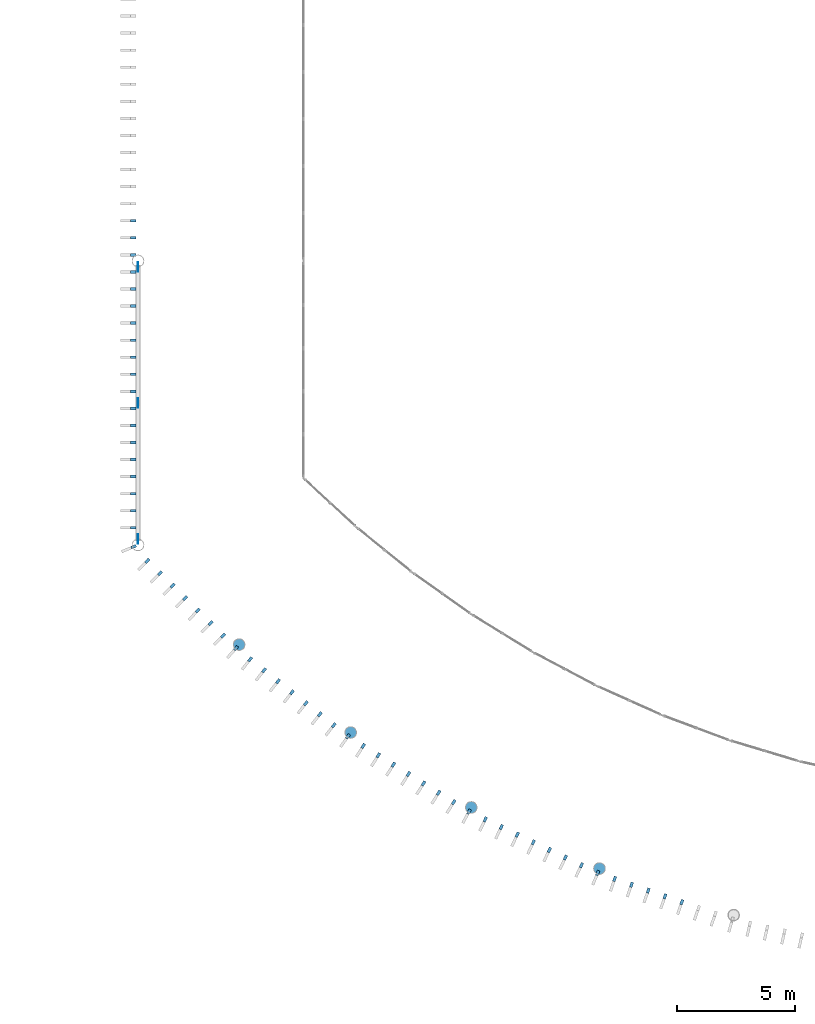
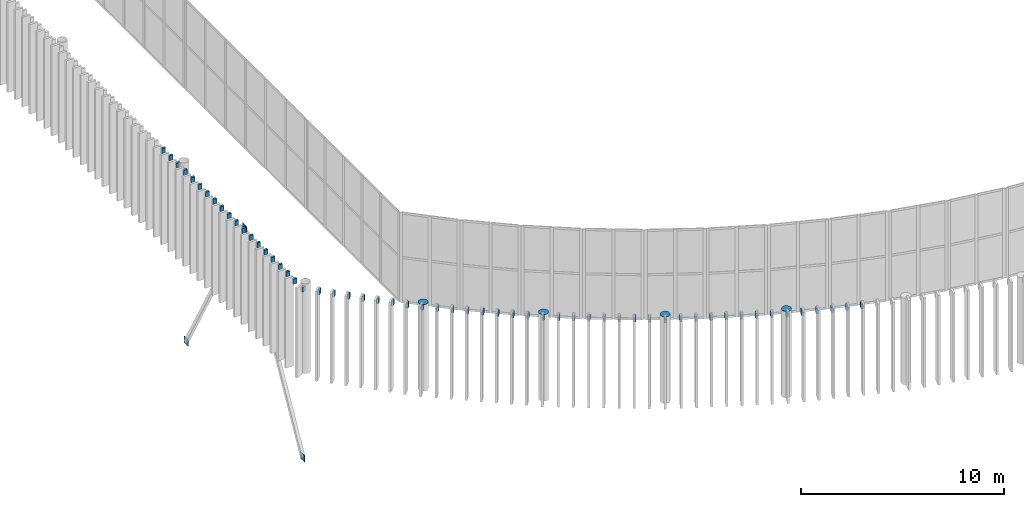
# One storey, part 126 of 170: 64 discrete accessories.
"""IFC4 building model written with IfcOpenShell, lengths in metres."""

from ifc_helpers import new_model, si_unit, direction, frame, origin, origin_2d, place, context, subcontext, project, spatial, rectangle, circle, extrude, material, material_profile, profile_set, type_object, element, save


model = new_model("IFC4")

# Units and contexts
model_context = context("Model", 3, precision=1e-05, world=origin(), true_north=direction((0.0, 1.0)))
body_context = subcontext(model_context, "Body", "Model", "MODEL_VIEW")
ifc_project = project(units=[si_unit("LENGTHUNIT", "METRE"), si_unit("AREAUNIT", "SQUARE_METRE"), si_unit("VOLUMEUNIT", "CUBIC_METRE"), si_unit("PLANEANGLEUNIT", "RADIAN"), si_unit("MASSUNIT", "GRAM", prefix="KILO")], contexts=[model_context])

# Site, building, storey
site_placement = place(None, origin())
site = spatial("IfcSite", under=ifc_project, at=site_placement, CompositionType="ELEMENT")
building_placement = place(site_placement, origin())
building = spatial("IfcBuilding", under=site, at=building_placement, Name="Ravi Spectrum Wholesale Market", CompositionType="ELEMENT")
storey_placement = place(building_placement, frame((0.0, 0.0, 5.39990234375)))
storey = spatial("IfcBuildingStorey", under=building, at=storey_placement, Name="L01", CompositionType="ELEMENT", Elevation=5.39990234375)

# Discrete accessories
ifc_material_1 = material(Name="Steel S355", Category="steel")
ifc_material_profile_1 = material_profile(ifc_material_1, circle(Radius=0.25390625, at=origin_2d()))
ifc_profile_set_1 = profile_set([ifc_material_profile_1], Name="Steel S355")
discrete_accessory_type_1 = type_object("IfcDiscreteAccessoryType", Name="End plate CHS 508x16", PredefinedType="BRACKET", material=ifc_profile_set_1)
for number, where, z_axis, x_axis, name in (
    (1, (34.273681640625, 25.784423828125, 5.2001953125), (0.0, 0.0, 1.0), (1.0, 0.0, 0.0), "End plate"),
    (2, (38.98876953125, 22.069091796875, 5.2001953125), (0.0, 0.0, 1.0), (1.0, 0.0, 0.0), "End plate"),
    (3, (44.087158203125, 18.900390625, 5.2001953125), (0.0, 0.0, 1.0), (1.0, 0.0, 0.0), "End plate"),
    (4, (49.505859375, 16.31689453125, 5.2001953125), (0.0, 0.0, 1.0), (1.0, 0.0, 0.0), "End plate"),
):
    element("IfcDiscreteAccessory", number, at=place(storey_placement, frame(where, z_axis=z_axis, x_axis=x_axis)), inside=storey, type_object=discrete_accessory_type_1, Name=name, PredefinedType="BRACKET", context=body_context, shape_type="SweptSolid", body=[
        extrude(circle(Radius=0.25390625, at=origin_2d()), origin(), (0.0, 0.0, 1.0), 0.011962890625),
    ])
ifc_material_2 = material(Name="Steel S355", Category="steel")
discrete_accessory_type_2 = type_object("IfcDiscreteAccessoryType", Name="Fin bracket 120", PredefinedType="BRACKET", material=ifc_material_2)
for number, where, z_axis, x_axis, name in (
    (5, (29.800048828125, 43.699462890625, 4.89990234375), (0.0, 0.0, 1.0), (0.0, -1.0, 0.0), "Fin bracket B215"),
    (6, (29.800048828125, 42.978515625, 4.89990234375), (0.0, 0.0, 1.0), (0.0, -1.0, 0.0), "Fin bracket B216"),
    (7, (29.800048828125, 42.257568359375, 4.89990234375), (0.0, 0.0, 1.0), (0.0, -1.0, 0.0), "Fin bracket B217"),
    (8, (29.800048828125, 41.536376953125, 4.89990234375), (0.0, 0.0, 1.0), (0.0, -1.0, 0.0), "Fin bracket B218"),
    (9, (29.800048828125, 40.8154296875, 4.89990234375), (0.0, 0.0, 1.0), (0.0, -1.0, 0.0), "Fin bracket B219"),
    (10, (29.800048828125, 40.094482421875, 4.89990234375), (0.0, 0.0, 1.0), (0.0, -1.0, 0.0), "Fin bracket B220"),
    (11, (29.800048828125, 39.373291015625, 4.89990234375), (0.0, 0.0, 1.0), (0.0, -1.0, 0.0), "Fin bracket B221"),
    (12, (29.800048828125, 38.65234375, 4.89990234375), (0.0, 0.0, 1.0), (0.0, -1.0, 0.0), "Fin bracket B222"),
    (13, (29.800048828125, 37.931396484375, 4.89990234375), (0.0, 0.0, 1.0), (0.0, -1.0, 0.0), "Fin bracket B223"),
    (14, (29.800048828125, 37.210205078125, 4.89990234375), (0.0, 0.0, 1.0), (0.0, -1.0, 0.0), "Fin bracket B224"),
    (15, (29.800048828125, 36.4892578125, 4.89990234375), (0.0, 0.0, 1.0), (0.0, -1.0, 0.0), "Fin bracket B225"),
    (16, (29.800048828125, 35.768310546875, 4.89990234375), (0.0, 0.0, 1.0), (0.0, -1.0, 0.0), "Fin bracket B226"),
    (17, (29.800048828125, 35.047119140625, 4.89990234375), (0.0, 0.0, 1.0), (0.0, -1.0, 0.0), "Fin bracket B227"),
    (18, (29.800048828125, 34.326171875, 4.89990234375), (0.0, 0.0, 1.0), (0.0, -1.0, 0.0), "Fin bracket B228"),
    (19, (29.800048828125, 33.605224609375, 4.89990234375), (0.0, 0.0, 1.0), (0.0, -1.0, 0.0), "Fin bracket B229"),
    (20, (29.800048828125, 32.884033203125, 4.89990234375), (0.0, 0.0, 1.0), (0.0, -1.0, 0.0), "Fin bracket B230"),
    (21, (29.800048828125, 32.1630859375, 4.89990234375), (0.0, 0.0, 1.0), (0.0, -1.0, 0.0), "Fin bracket B231"),
    (22, (29.800048828125, 31.442138671875, 4.89990234375), (0.0, 0.0, 1.0), (0.0, -1.0, 0.0), "Fin bracket B232"),
    (23, (29.800048828125, 30.720947265625, 4.89990234375), (0.0, 0.0, 1.0), (0.0, -1.0, 0.0), "Fin bracket B233"),
    (24, (29.8154296875, 29.9228515625, 4.89990234375), (0.0, 0.0, 1.0), (0.385839623157, -0.922565870387, 0.0), "Fin bracket B234"),
    (25, (30.393798828125, 29.33056640625, 4.89990234375), (0.0, 0.0, 1.0), (0.711924935547, -0.702255570392, 0.0), "Fin bracket B235"),
    (26, (30.927978515625, 28.8037109375, 4.89990234375), (0.0, 0.0, 1.0), (0.711924935547, -0.702255570392, 0.0), "Fin bracket B236"),
    (27, (31.462158203125, 28.27685546875, 4.89990234375), (0.0, 0.0, 1.0), (0.711924935547, -0.702255570392, 0.0), "Fin bracket B237"),
    (28, (31.996337890625, 27.749755859375, 4.89990234375), (0.0, 0.0, 1.0), (0.711924935547, -0.702255570392, 0.0), "Fin bracket B238"),
    (29, (32.530517578125, 27.222900390625, 4.89990234375), (0.0, 0.0, 1.0), (0.711924935547, -0.702255570392, 0.0), "Fin bracket B239"),
    (30, (33.064697265625, 26.69580078125, 4.89990234375), (0.0, 0.0, 1.0), (0.711924935547, -0.702255570392, 0.0), "Fin bracket B240"),
    (31, (33.598876953125, 26.1689453125, 4.89990234375), (0.0, 0.0, 1.0), (0.711924935547, -0.702255570392, 0.0), "Fin bracket B241"),
    (32, (34.141357421875, 25.634521484375, 4.89990234375), (0.0, 0.0, 1.0), (0.74985770716, -0.661599137706, 0.0), "Fin bracket B242"),
    (33, (34.7392578125, 25.162841796875, 4.89990234375), (0.0, 0.0, 1.0), (0.785472038209, -0.618897145891, 0.0), "Fin bracket B243"),
    (34, (35.32861328125, 24.698486328125, 4.89990234375), (0.0, 0.0, 1.0), (0.785472038209, -0.618897145891, 0.0), "Fin bracket B244"),
    (35, (35.91796875, 24.234130859375, 4.89990234375), (0.0, 0.0, 1.0), (0.785472038209, -0.618897145891, 0.0), "Fin bracket B245"),
    (36, (36.50732421875, 23.769775390625, 4.89990234375), (0.0, 0.0, 1.0), (0.785472038209, -0.618897145891, 0.0), "Fin bracket B246"),
    (37, (37.096923828125, 23.305419921875, 4.89990234375), (0.0, 0.0, 1.0), (0.785472038209, -0.618897145891, 0.0), "Fin bracket B247"),
    (38, (37.686279296875, 22.8408203125, 4.89990234375), (0.0, 0.0, 1.0), (0.785472038209, -0.618897145891, 0.0), "Fin bracket B248"),
    (39, (38.275634765625, 22.37646484375, 4.89990234375), (0.0, 0.0, 1.0), (0.785472038209, -0.618897145891, 0.0), "Fin bracket B249"),
    (40, (38.8740234375, 21.905517578125, 4.89990234375), (0.0, 0.0, 1.0), (0.818657814856, -0.574281622703, 0.0), "Fin bracket B250"),
    (41, (39.5205078125, 21.503173828125, 4.89990234375), (0.0, 0.0, 1.0), (0.849312431968, -0.527890512232, 0.0), "Fin bracket B251"),
    (42, (40.15771484375, 21.107177734375, 4.89990234375), (0.0, 0.0, 1.0), (0.849312431968, -0.527890512232, 0.0), "Fin bracket B252"),
    (43, (40.795166015625, 20.7109375, 4.89990234375), (0.0, 0.0, 1.0), (0.849312431968, -0.527890512232, 0.0), "Fin bracket B253"),
    (44, (41.432373046875, 20.31494140625, 4.89990234375), (0.0, 0.0, 1.0), (0.849312431968, -0.527890512232, 0.0), "Fin bracket B254"),
    (45, (42.069580078125, 19.918701171875, 4.89990234375), (0.0, 0.0, 1.0), (0.849312431968, -0.527890512232, 0.0), "Fin bracket B255"),
    (46, (42.70703125, 19.522705078125, 4.89990234375), (0.0, 0.0, 1.0), (0.849312431968, -0.527890512232, 0.0), "Fin bracket B256"),
    (47, (43.34423828125, 19.12646484375, 4.89990234375), (0.0, 0.0, 1.0), (0.849312431968, -0.527890512232, 0.0), "Fin bracket B257"),
    (48, (43.9912109375, 18.724853515625, 4.89990234375), (0.0, 0.0, 1.0), (0.877341110352, -0.4798672484, 0.0), "Fin bracket B258"),
    (49, (44.678466796875, 18.396728515625, 4.89990234375), (0.0, 0.0, 1.0), (0.902657189799, -0.430360311488, 0.0), "Fin bracket B259"),
    (50, (45.355712890625, 18.073974609375, 4.89990234375), (0.0, 0.0, 1.0), (0.902657189799, -0.430360311488, 0.0), "Fin bracket B260"),
    (51, (46.032958984375, 17.7509765625, 4.89990234375), (0.0, 0.0, 1.0), (0.902657189799, -0.430360311488, 0.0), "Fin bracket B261"),
    (52, (46.71044921875, 17.427978515625, 4.89990234375), (0.0, 0.0, 1.0), (0.902657189799, -0.430360311488, 0.0), "Fin bracket B262"),
    (53, (47.3876953125, 17.105224609375, 4.89990234375), (0.0, 0.0, 1.0), (0.902657189799, -0.430360311488, 0.0), "Fin bracket B263"),
    (54, (48.06494140625, 16.7822265625, 4.89990234375), (0.0, 0.0, 1.0), (0.902657189799, -0.430360311488, 0.0), "Fin bracket B264"),
    (55, (48.742431640625, 16.459228515625, 4.89990234375), (0.0, 0.0, 1.0), (0.902657189799, -0.430360311488, 0.0), "Fin bracket B265"),
    (56, (49.429931640625, 16.1318359375, 4.89990234375), (0.0, 0.0, 1.0), (0.925182397026, -0.379522769057, 0.0), "Fin bracket B266"),
    (57, (50.149169921875, 15.882080078125, 4.89990234375), (0.0, 0.0, 1.0), (0.944847087681, -0.32751180269, 0.0), "Fin bracket B267"),
    (58, (50.858154296875, 15.636474609375, 4.89990234375), (0.0, 0.0, 1.0), (0.944847087681, -0.32751180269, 0.0), "Fin bracket B268"),
    (59, (51.567138671875, 15.390625, 4.89990234375), (0.0, 0.0, 1.0), (0.944847087681, -0.32751180269, 0.0), "Fin bracket B269"),
    (60, (52.276123046875, 15.144775390625, 4.89990234375), (0.0, 0.0, 1.0), (0.944847087681, -0.32751180269, 0.0), "Fin bracket B270"),
    (61, (52.985107421875, 14.899169921875, 4.89990234375), (0.0, 0.0, 1.0), (0.944847087681, -0.32751180269, 0.0), "Fin bracket B271"),
):
    element("IfcDiscreteAccessory", number, at=place(storey_placement, frame(where, z_axis=z_axis, x_axis=x_axis)), inside=storey, type_object=discrete_accessory_type_2, Name=name, PredefinedType="BRACKET", context=body_context, shape_type="SweptSolid", body=[
        extrude(rectangle(XDim=0.1201171875, YDim=0.219970703125, at=origin_2d()), origin(), (0.0, 0.0, 1.0), 0.300048828125),
    ])
ifc_material_3 = material(Name="Steel S355", Category="steel")
ifc_material_profile_2 = material_profile(ifc_material_3, rectangle(XDim=0.39990234375, YDim=0.02001953125, at=origin_2d()))
ifc_profile_set_2 = profile_set([ifc_material_profile_2], Name="Steel S355")
discrete_accessory_type_3 = type_object("IfcDiscreteAccessoryType", Name="Gusset plate 400x400x20", PredefinedType="BRACKET", material=ifc_profile_set_2)
discrete_accessory_1_placement = place(storey_placement, frame((30.0, 30.25390625, -5.55078125), z_axis=(0.0, 0.0, 1.0), x_axis=(0.0, 1.0, 0.0)))
element("IfcDiscreteAccessory", 62, at=discrete_accessory_1_placement, inside=storey, type_object=discrete_accessory_type_3, Name="Gusset plate", PredefinedType="BRACKET", context=body_context, shape_type="SweptSolid", body=[
    extrude(rectangle(XDim=0.39990234375, YDim=0.02001953125, at=origin_2d()), origin(), (0.0, 0.0, 1.0), 0.39990234375),
])
discrete_accessory_2_placement = place(storey_placement, frame((30.0, 36.0, 4.75), z_axis=(0.0, 0.0, 1.0), x_axis=(0.0, 1.0, 0.0)))
element("IfcDiscreteAccessory", 63, at=discrete_accessory_2_placement, inside=storey, type_object=discrete_accessory_type_3, Name="Gusset plate", PredefinedType="BRACKET", context=body_context, shape_type="SweptSolid", body=[
    extrude(rectangle(XDim=0.39990234375, YDim=0.02001953125, at=origin_2d()), origin(), (0.0, 0.0, 1.0), 0.400146484375),
])
discrete_accessory_3_placement = place(storey_placement, frame((30.0, 41.74609375, -5.55078125), z_axis=(0.0, 0.0, 1.0), x_axis=(0.0, -1.0, 0.0)))
element("IfcDiscreteAccessory", 64, at=discrete_accessory_3_placement, inside=storey, type_object=discrete_accessory_type_3, Name="Gusset plate", PredefinedType="BRACKET", context=body_context, shape_type="SweptSolid", body=[
    extrude(rectangle(XDim=0.39990234375, YDim=0.02001953125, at=origin_2d()), origin(), (0.0, 0.0, 1.0), 0.39990234375),
])

save(model, "model.ifc")
